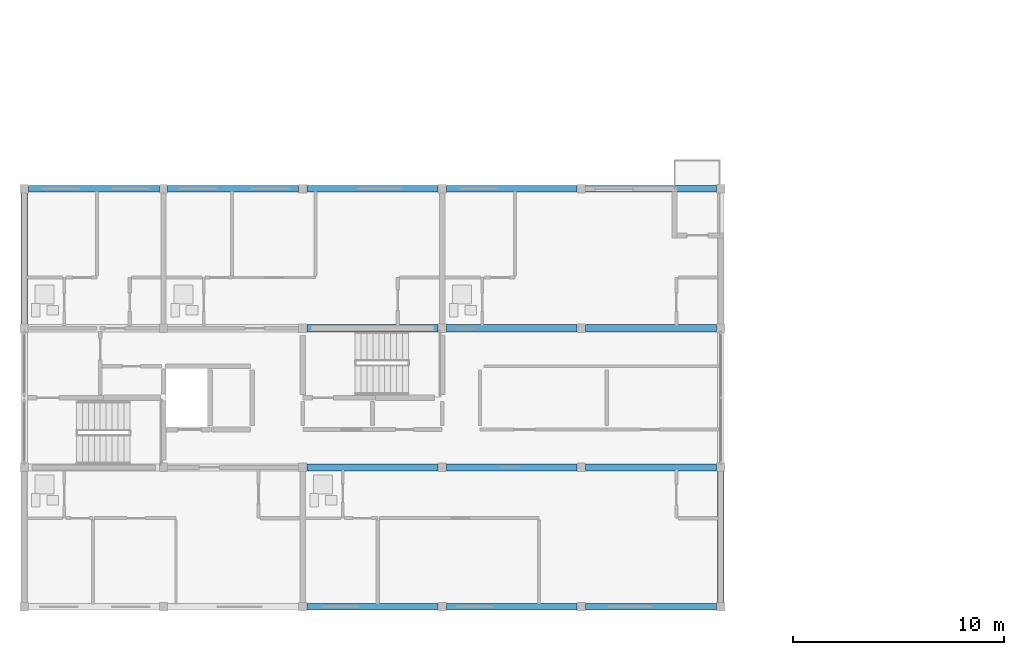
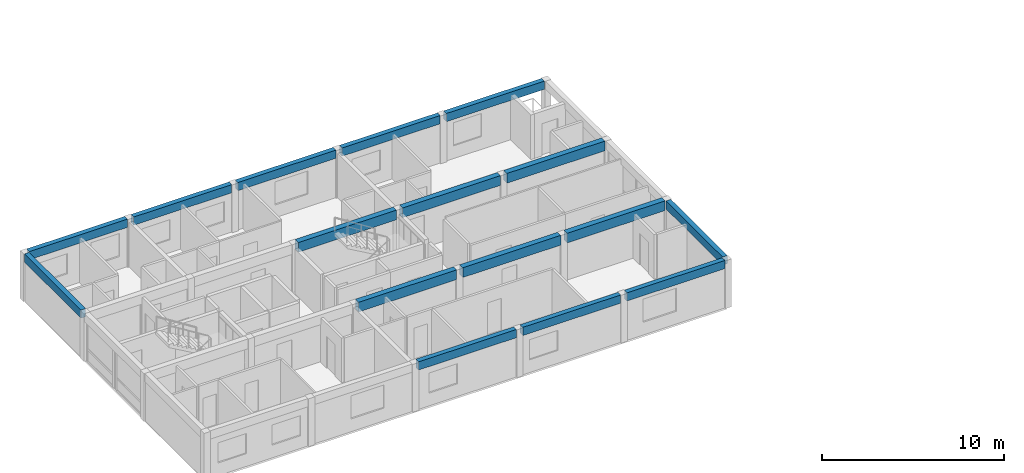
# One storey, part 5 of 23: 16 beams.
"""IFC4 building model written with IfcOpenShell, lengths in metres."""

from ifc_helpers import new_model, si_unit, direction, frame, origin, origin_2d, place, context, subcontext, project, spatial, rectangle, extrude, material, material_profile, profile_set, type_object, element, save


model = new_model("IFC4")

# Units and contexts
model_context = context("Model", 3, precision=1e-05, world=origin(), true_north=direction((0.0, 1.0)))
body_context = subcontext(model_context, "Body", "Model", "MODEL_VIEW")
ifc_project = project(units=[si_unit("LENGTHUNIT", "METRE"), si_unit("AREAUNIT", "SQUARE_METRE"), si_unit("VOLUMEUNIT", "CUBIC_METRE"), si_unit("PLANEANGLEUNIT", "RADIAN"), si_unit("MASSUNIT", "GRAM", prefix="KILO")], contexts=[model_context])

# Site, building, storey
site_placement = place(None, origin())
site = spatial("IfcSite", under=ifc_project, at=site_placement, CompositionType="ELEMENT")
building_placement = place(site_placement, origin())
building = spatial("IfcBuilding", under=site, at=building_placement, Name="Kernevlak Ridge Housing Community", CompositionType="ELEMENT")
storey_placement = place(building_placement, frame((0.0, 0.0, 46.800048828125)))
storey = spatial("IfcBuildingStorey", under=building, at=storey_placement, Name="L14", CompositionType="ELEMENT", Elevation=46.800048828125)

# Beams
ifc_material = material(Name="Concrete C35/45", Category="concrete")
ifc_material_profile_1 = material_profile(ifc_material, rectangle(XDim=0.35009765625, YDim=0.64990234375, at=origin_2d()), Name="RC 350x650")
ifc_profile_set_1 = profile_set([ifc_material_profile_1], Name="Concrete C35/45")
beam_type_1 = type_object("IfcBeamType", Name="B-02", PredefinedType="BEAM", material=ifc_profile_set_1)
for number, where, z_axis, x_axis, name in (
    (1, (29.0, 82.60009765625, 2.875), (1.0, 0.0, 0.0), (0.0, 1.0, 0.0), "Beam B-02 L14 428"),
    (2, (35.60009765625, 82.60009765625, 2.875), (1.0, 0.0, 0.0), (0.0, 1.0, 0.0), "Beam B-02 L14 429"),
    (3, (42.199951171875, 82.60009765625, 2.875), (1.0, 0.0, 0.0), (0.0, 1.0, 0.0), "Beam B-02 L14 430"),
    (4, (29.0, 89.199951171875, 2.875), (1.0, 0.0, 0.0), (0.0, 1.0, 0.0), "Beam B-02 L14 433"),
    (5, (35.60009765625, 89.199951171875, 2.875), (1.0, 0.0, 0.0), (0.0, 1.0, 0.0), "Beam B-02 L14 434"),
    (6, (42.199951171875, 89.199951171875, 2.875), (1.0, 0.0, 0.0), (0.0, 1.0, 0.0), "Beam B-02 L14 435"),
):
    element("IfcBeam", number, at=place(storey_placement, frame(where, z_axis=z_axis, x_axis=x_axis)), inside=storey, type_object=beam_type_1, Name=name, PredefinedType="BEAM", context=body_context, shape_type="SweptSolid", body=[
        extrude(rectangle(XDim=0.35009765625, YDim=0.64990234375, at=origin_2d()), origin(), (0.0, 0.0, 1.0), 6.199951171875),
    ])
ifc_material_profile_2 = material_profile(ifc_material, rectangle(XDim=0.300048828125, YDim=0.550048828125, at=origin_2d()), Name="RC 300x550")
ifc_profile_set_2 = profile_set([ifc_material_profile_2], Name="Concrete C35/45")
beam_type_2 = type_object("IfcBeamType", Name="SP-01", PredefinedType="SPANDREL", material=ifc_profile_set_2)
for number, where, z_axis, x_axis, name in (
    (7, (29.0, 76.0, 2.925048828125), (1.0, 0.0, 0.0), (0.0, 1.0, 0.0), "Beam SP-01 L14 423"),
    (8, (35.60009765625, 76.0, 2.925048828125), (1.0, 0.0, 0.0), (0.0, 1.0, 0.0), "Beam SP-01 L14 424"),
    (9, (42.199951171875, 76.0, 2.925048828125), (1.0, 0.0, 0.0), (0.0, 1.0, 0.0), "Beam SP-01 L14 425"),
    (10, (15.800048828125, 95.800048828125, 2.925048828125), (1.0, 0.0, 0.0), (0.0, 1.0, 0.0), "Beam SP-01 L14 436"),
):
    element("IfcBeam", number, at=place(storey_placement, frame(where, z_axis=z_axis, x_axis=x_axis)), inside=storey, type_object=beam_type_2, Name=name, PredefinedType="SPANDREL", context=body_context, shape_type="SweptSolid", body=[
        extrude(rectangle(XDim=0.300048828125, YDim=0.550048828125, at=origin_2d()), origin(), (0.0, 0.0, 1.0), 6.199951171875),
    ])
beam_1_placement = place(storey_placement, frame((22.39990234375, 95.800048828125, 2.925048828125), z_axis=(1.0, 0.0, 0.0), x_axis=(0.0, 1.0, 0.0)))
element("IfcBeam", 11, at=beam_1_placement, inside=storey, type_object=beam_type_2, Name="Beam SP-01 L14 437", PredefinedType="SPANDREL", context=body_context, shape_type="SweptSolid", body=[
    extrude(rectangle(XDim=0.300048828125, YDim=0.550048828125, at=origin_2d()), origin(), (0.0, 0.0, 1.0), 6.2001953125),
])
for number, where, z_axis, x_axis, name in (
    (12, (29.0, 95.800048828125, 2.925048828125), (1.0, 0.0, 0.0), (0.0, 1.0, 0.0), "Beam SP-01 L14 438"),
    (13, (35.60009765625, 95.800048828125, 2.925048828125), (1.0, 0.0, 0.0), (0.0, 1.0, 0.0), "Beam SP-01 L14 439"),
    (14, (42.199951171875, 95.800048828125, 2.925048828125), (1.0, 0.0, 0.0), (0.0, 1.0, 0.0), "Beam SP-01 L14 440"),
):
    element("IfcBeam", number, at=place(storey_placement, frame(where, z_axis=z_axis, x_axis=x_axis)), inside=storey, type_object=beam_type_2, Name=name, PredefinedType="SPANDREL", context=body_context, shape_type="SweptSolid", body=[
        extrude(rectangle(XDim=0.300048828125, YDim=0.550048828125, at=origin_2d()), origin(), (0.0, 0.0, 1.0), 6.199951171875),
    ])
beam_2_placement = place(storey_placement, frame((15.60009765625, 89.39990234375, 2.925048828125), z_axis=(0.0, 1.0, 0.0), x_axis=(-1.0, 0.0, 0.0)))
element("IfcBeam", 15, at=beam_2_placement, inside=storey, type_object=beam_type_2, Name="Beam SP-01 L14 443", PredefinedType="SPANDREL", context=body_context, shape_type="SweptSolid", body=[
    extrude(rectangle(XDim=0.300048828125, YDim=0.550048828125, at=origin_2d()), origin(), (0.0, 0.0, 1.0), 6.2001953125),
])
beam_3_placement = place(storey_placement, frame((48.60009765625, 76.199951171875, 2.925048828125), z_axis=(0.0, 1.0, 0.0), x_axis=(-1.0, 0.0, 0.0)))
element("IfcBeam", 16, at=beam_3_placement, inside=storey, type_object=beam_type_2, Name="Beam SP-01 L14 444", PredefinedType="SPANDREL", context=body_context, shape_type="SweptSolid", body=[
    extrude(rectangle(XDim=0.300048828125, YDim=0.550048828125, at=origin_2d()), origin(), (0.0, 0.0, 1.0), 6.199951171875),
])

save(model, "model.ifc")
